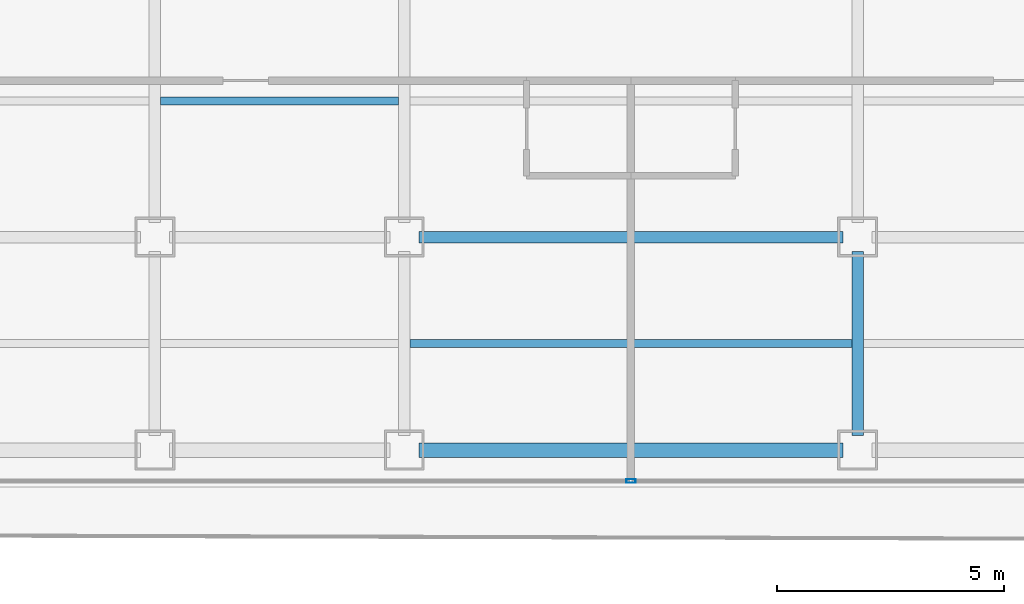
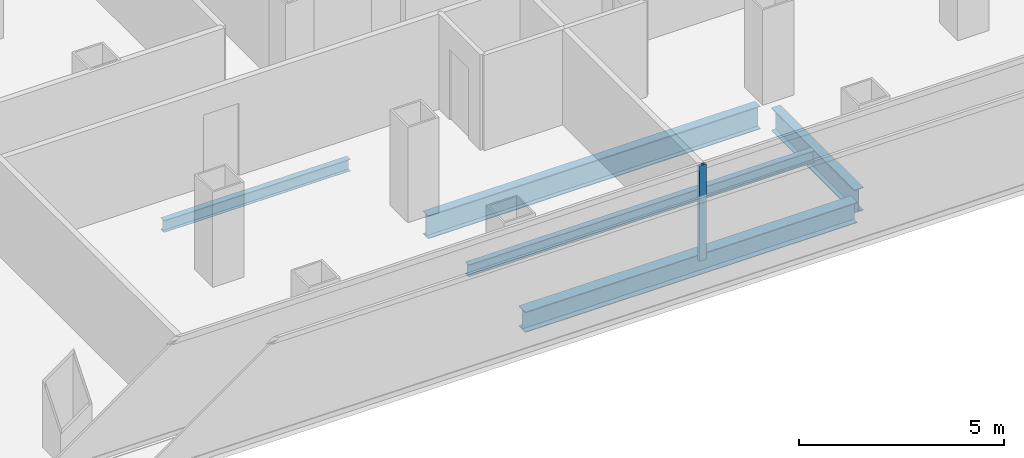
# One storey, part 4 of 21: 5 beams, 1 member, 1 element without a shape of its own.
"""IFC4 building model written with IfcOpenShell, lengths in metres."""

from ifc_helpers import new_model, si_unit, direction, frame, origin, origin_2d, place, context, subcontext, project, spatial, hollow_rectangle, i_section, extrude, source, transform, mapped, material, layer, layer_set, material_profile, profile_set, type_object, element, aggregate, save


model = new_model("IFC4")

# Units and contexts
model_context = context("Model", 3, precision=1e-05, world=origin(), true_north=direction((0.0, 1.0)))
body_context = subcontext(model_context, "Body", "Model", "MODEL_VIEW")
ifc_project = project(units=[si_unit("LENGTHUNIT", "METRE"), si_unit("AREAUNIT", "SQUARE_METRE"), si_unit("VOLUMEUNIT", "CUBIC_METRE"), si_unit("PLANEANGLEUNIT", "RADIAN"), si_unit("MASSUNIT", "GRAM", prefix="KILO")], contexts=[model_context])

# Site, building, storey
site_placement = place(None, origin())
site = spatial("IfcSite", under=ifc_project, at=site_placement, CompositionType="ELEMENT")
building_placement = place(site_placement, origin())
building = spatial("IfcBuilding", under=site, at=building_placement, Name="Kolveth Station Tower", CompositionType="ELEMENT")
storey_placement = place(building_placement, frame((0.0, 0.0, 140.699951171875)))
storey = spatial("IfcBuildingStorey", under=building, at=storey_placement, Name="L39", CompositionType="ELEMENT", Elevation=140.699951171875)

# Beams
ifc_material_1 = material(Name="Steel S355", Category="steel")
ifc_material_profile_1 = material_profile(ifc_material_1, i_section(OverallWidth=0.323974609375, OverallDepth=0.611083984375, WebThickness=0.0126953125, FlangeThickness=0.01904296875, at=origin_2d()), Name="W610x155")
ifc_profile_set_1 = profile_set([ifc_material_profile_1], Name="Steel S355")
beam_type_1 = type_object("IfcBeamType", Name="Beam_SP2", PredefinedType="SPANDREL", material=ifc_profile_set_1)
shared_shape_1 = source(origin(), body_context, "Body", "SweptSolid", [
    extrude(i_section(OverallWidth=0.323974609375, OverallDepth=0.611083984375, WebThickness=0.0126953125, FlangeThickness=0.01904296875, at=origin_2d()), origin(), (0.0, 0.0, 1.0), 9.35986328125),
])
beam_1_placement = place(storey_placement, frame((18.820068359375, 0.800048828125, -0.555419921875), z_axis=(1.0, 0.0, 0.0), x_axis=(0.0, 1.0, 0.0)))
element("IfcBeam", 1, at=beam_1_placement, inside=storey, type_object=beam_type_1, Name="L39 Perimeter Spandrel BM-L39-PS-3", PredefinedType="SPANDREL", context=body_context, shape_type="MappedRepresentation", body=[
    mapped(shared_shape_1, transform((0.0, 0.0, 0.0), x_axis=(1.0, 0.0, 0.0), y_axis=(0.0, 1.0, 0.0), z_axis=(0.0, 0.0, 1.0), scale=1.0)),
])
ifc_material_profile_2 = material_profile(ifc_material_1, i_section(OverallWidth=0.25390625, OverallDepth=0.68798828125, WebThickness=0.01318359375, FlangeThickness=0.02099609375, at=origin_2d()), Name="W690x152")
ifc_profile_set_2 = profile_set([ifc_material_profile_2], Name="Steel S355")
beam_type_2 = type_object("IfcBeamType", Name="Beam_B4", PredefinedType="BEAM", material=ifc_profile_set_2)
shared_shape_2 = source(origin(), body_context, "Body", "SweptSolid", [
    extrude(i_section(OverallWidth=0.25390625, OverallDepth=0.68798828125, WebThickness=0.01318359375, FlangeThickness=0.02099609375, at=origin_2d()), origin(), (0.0, 0.0, 1.0), 9.35986328125),
])
beam_2_placement = place(storey_placement, frame((18.820068359375, 5.5, -0.593994140625), z_axis=(1.0, 0.0, 0.0), x_axis=(0.0, 1.0, 0.0)))
element("IfcBeam", 2, at=beam_2_placement, inside=storey, type_object=beam_type_2, Name="L39 Primary Girder BM-L39-GY55-4", PredefinedType="BEAM", context=body_context, shape_type="MappedRepresentation", body=[
    mapped(shared_shape_2, transform((0.0, 0.0, 0.0), x_axis=(1.0, 0.0, 0.0), y_axis=(0.0, 1.0, 0.0), z_axis=(0.0, 0.0, 1.0), scale=1.0)),
])
shared_shape_3 = source(origin(), body_context, "Body", "SweptSolid", [
    extrude(i_section(OverallWidth=0.25390625, OverallDepth=0.68798828125, WebThickness=0.01318359375, FlangeThickness=0.02099609375, at=origin_2d()), origin(), (0.0, 0.0, 1.0), 4.059814453125),
])
beam_3_placement = place(storey_placement, frame((28.5, 1.1201171875, -0.593994140625), z_axis=(0.0, 1.0, 0.0), x_axis=(-1.0, 0.0, 0.0)))
element("IfcBeam", 3, at=beam_3_placement, inside=storey, type_object=beam_type_2, Name="L39 Primary Girder BM-L39-GX285-1", PredefinedType="BEAM", context=body_context, shape_type="MappedRepresentation", body=[
    mapped(shared_shape_3, transform((0.0, 0.0, 0.0), x_axis=(1.0, 0.0, 0.0), y_axis=(0.0, 1.0, 0.0), z_axis=(0.0, 0.0, 1.0), scale=1.0)),
])
ifc_material_profile_3 = material_profile(ifc_material_1, i_section(OverallWidth=0.1708984375, OverallDepth=0.35205078125, WebThickness=0.0068359375, FlangeThickness=0.009765625, at=origin_2d()), Name="W360x44")
ifc_profile_set_3 = profile_set([ifc_material_profile_3], Name="Steel S355")
beam_type_3 = type_object("IfcBeamType", Name="Beam_J2", PredefinedType="JOIST", material=ifc_profile_set_3)
shared_shape_4 = source(origin(), body_context, "Body", "SweptSolid", [
    extrude(i_section(OverallWidth=0.1708984375, OverallDepth=0.35205078125, WebThickness=0.0068359375, FlangeThickness=0.009765625, at=origin_2d()), origin(), (0.0, 0.0, 1.0), 5.25),
])
beam_4_placement = place(storey_placement, frame((13.125, 8.5, -0.426025390625), z_axis=(1.0, 0.0, 0.0), x_axis=(0.0, 1.0, 0.0)))
element("IfcBeam", 4, at=beam_4_placement, inside=storey, type_object=beam_type_3, Name="L39 Secondary Joist JST-L39-3-2", PredefinedType="JOIST", context=body_context, shape_type="MappedRepresentation", body=[
    mapped(shared_shape_4, transform((0.0, 0.0, 0.0), x_axis=(1.0, 0.0, 0.0), y_axis=(0.0, 1.0, 0.0), z_axis=(0.0, 0.0, 1.0), scale=1.0)),
])
shared_shape_5 = source(origin(), body_context, "Body", "SweptSolid", [
    extrude(i_section(OverallWidth=0.1708984375, OverallDepth=0.35205078125, WebThickness=0.0068359375, FlangeThickness=0.009765625, at=origin_2d()), origin(), (0.0, 0.0, 1.0), 9.75),
])
beam_5_placement = place(storey_placement, frame((18.625, 3.14990234375, -0.426025390625), z_axis=(1.0, 0.0, 0.0), x_axis=(0.0, 1.0, 0.0)))
element("IfcBeam", 5, at=beam_5_placement, inside=storey, type_object=beam_type_3, Name="L39 Secondary Joist JST-L39-4-1", PredefinedType="JOIST", context=body_context, shape_type="MappedRepresentation", body=[
    mapped(shared_shape_5, transform((0.0, 0.0, 0.0), x_axis=(1.0, 0.0, 0.0), y_axis=(0.0, 1.0, 0.0), z_axis=(0.0, 0.0, 1.0), scale=1.0)),
])

# Curtain wall, member
ifc_material_2 = material(Name="Aluminium 6063-T6 and low-E dark glass", Category="aluminium")
ifc_layer = layer(ifc_material_2, 0.18994140625)
ifc_layer_set = layer_set([ifc_layer], Name="Aluminium 6063-T6 and low-E dark glass")
curtain_wall_type = type_object("IfcCurtainWallType", Name="CurtainWall_CW-Z2", PredefinedType="NOTDEFINED", material=ifc_layer_set)
curtain_wall_placement = place(storey_placement, origin())
curtain_wall = element("IfcCurtainWall", 6, at=curtain_wall_placement, inside=storey, type_object=curtain_wall_type, Name="L39 Inner Thermal Curtain Wall 12", PredefinedType="NOTDEFINED")
ifc_material_3 = material(Name="Black anodized aluminium 6063-T6", Category="aluminium")
ifc_material_profile_4 = material_profile(ifc_material_3, hollow_rectangle(XDim=0.080078125, YDim=0.199951171875, WallThickness=0.0048828125, at=origin_2d()), Name="ALU-80x200x5")
ifc_profile_set_4 = profile_set([ifc_material_profile_4], Name="Black anodized aluminium 6063-T6")
member_type = type_object("IfcMemberType", Name="Mullion_ML2", PredefinedType="MULLION", material=ifc_profile_set_4)
shared_shape_6 = source(origin(), body_context, "Body", "SweptSolid", [
    extrude(hollow_rectangle(XDim=0.080078125, YDim=0.199951171875, WallThickness=0.0048828125, at=origin_2d()), origin(), (0.0, 0.0, 1.0), 2.840087890625),
])
member_placement = place(storey_placement, frame((23.5, 0.1201171875, 0.0), z_axis=(0.0, 0.0, 1.0), x_axis=(0.0, 1.0, 0.0)))
member = element("IfcMember", 7, at=member_placement, type_object=member_type, Name="CW-Z2 mullion 2", PredefinedType="MULLION", context=body_context, shape_type="MappedRepresentation", body=[
    mapped(shared_shape_6, transform((0.0, 0.0, 0.0), x_axis=(1.0, 0.0, 0.0), y_axis=(0.0, 1.0, 0.0), z_axis=(0.0, 0.0, 1.0), scale=1.0)),
])
aggregate(curtain_wall, [member])

save(model, "model.ifc")
